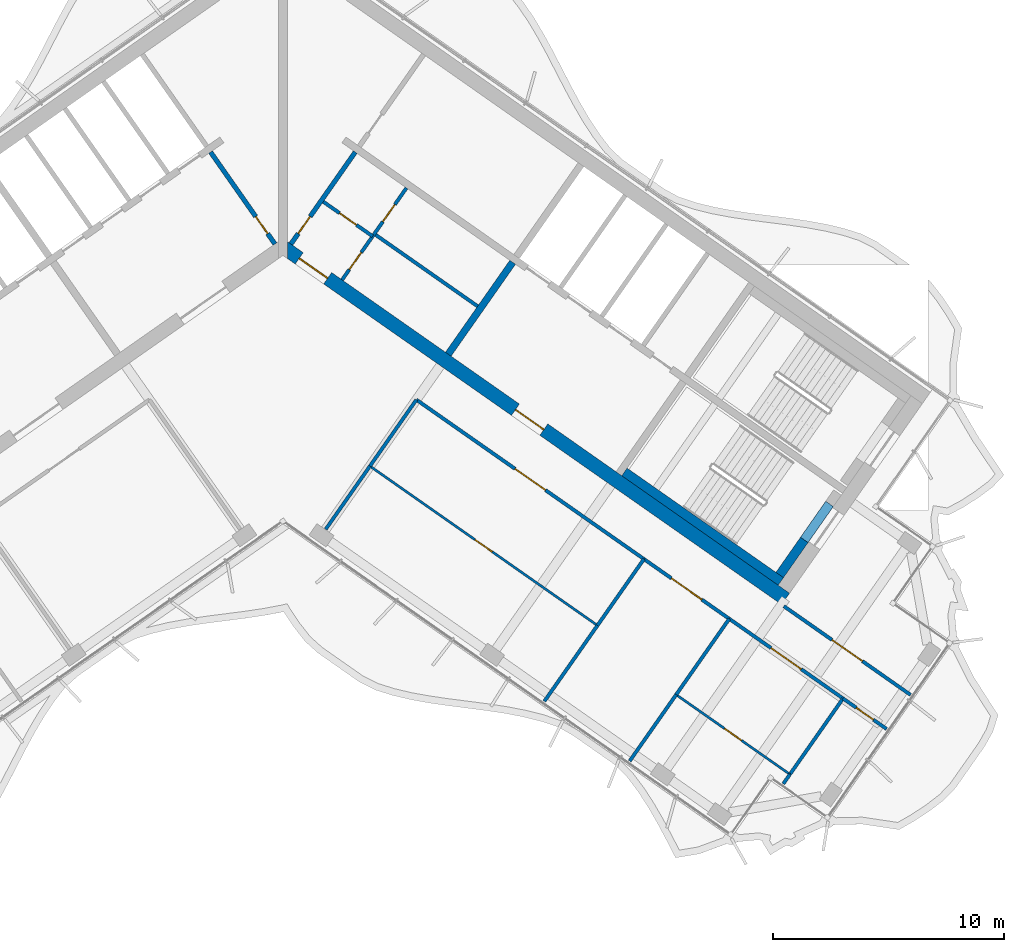
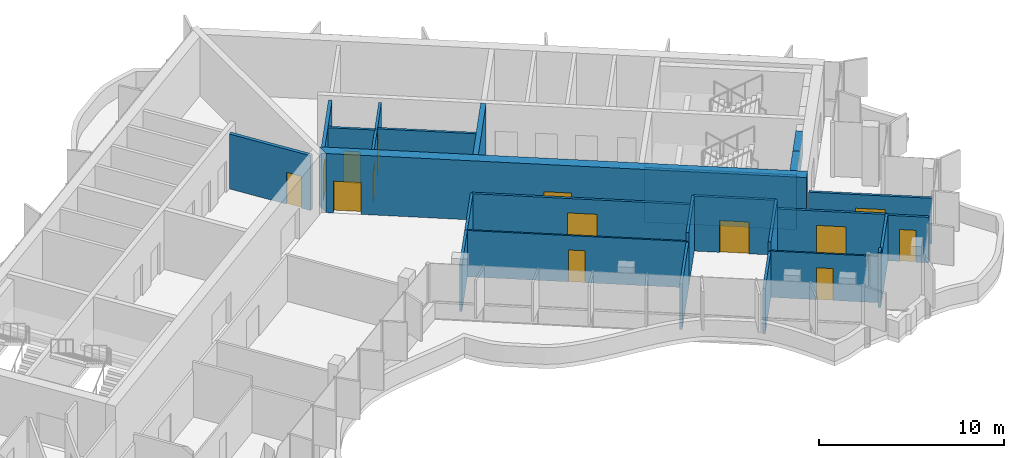
# One storey, part 10 of 17: 25 walls, 14 doors, 14 openings.
"""IFC4 building model written with IfcOpenShell, lengths in metres."""

from ifc_helpers import new_model, si_unit, direction, frame, frame_2d, origin, place, context, subcontext, project, spatial, polyline, rectangle, outline, extrude, material, layer, layer_set, type_object, element, fill, save


model = new_model("IFC4")

# Units and contexts
model_context = context("Model", 3, precision=1e-05, world=origin(), true_north=direction((0.0, 1.0)))
body_context = subcontext(model_context, "Body", "Model", "MODEL_VIEW")
ifc_project = project(units=[si_unit("LENGTHUNIT", "METRE"), si_unit("AREAUNIT", "SQUARE_METRE"), si_unit("VOLUMEUNIT", "CUBIC_METRE"), si_unit("PLANEANGLEUNIT", "RADIAN"), si_unit("MASSUNIT", "GRAM", prefix="KILO")], contexts=[model_context])

# Site, building, storey
site_placement = place(None, origin())
site = spatial("IfcSite", under=ifc_project, at=site_placement, CompositionType="ELEMENT")
building_placement = place(site_placement, origin())
building = spatial("IfcBuilding", under=site, at=building_placement, Name="Tel Ilan Convention Tower", CompositionType="ELEMENT")
storey_placement = place(building_placement, frame((0.0, 0.0, 291.699951171875)))
storey = spatial("IfcBuildingStorey", under=building, at=storey_placement, Name="L69", CompositionType="ELEMENT", Elevation=291.699951171875)

# Wall, openings, doors
ifc_material_1 = material(Name="Gypsum Plasterboard on Steel Stud", Category="steel")
ifc_layer_1 = layer(ifc_material_1, 0.14990234375)
ifc_layer_set_1 = layer_set([ifc_layer_1], Name="Core Room Partition Wall 150 mm EI 60")
wall_type_1 = type_object("IfcWallType", Name="Core Room Partition Wall 150 mm EI 60", PredefinedType="PARTITIONING", material=ifc_layer_set_1)
wall_1_placement = place(storey_placement, frame((2.5556640625, -2.27783203125, 0.0), z_axis=(0.0, 0.0, 1.0), x_axis=(0.573560315113, 0.819163332265, 0.0)))
wall_1 = element("IfcWall", 1, at=wall_1_placement, inside=storey, type_object=wall_type_1, Name="L69 core wall wc-v1", PredefinedType="PARTITIONING", context=body_context, shape_type="SweptSolid", body=[
    extrude(rectangle(XDim=4.849853515625, YDim=0.14990234375, at=frame_2d((2.4248046875, 0.0))), origin(), (0.0, 0.0, 1.0), 3.6201171875),
])
opening_1_placement = place(wall_1_placement, frame((0.550048828125, 0.0, 0.0)))
opening_1 = element("IfcOpeningElement", 2, at=opening_1_placement, cuts=wall_1, Name="Opening CD5211", PredefinedType="OPENING", context=body_context, shape_type="SweptSolid", body=[
    extrude(rectangle(XDim=0.89990234375, YDim=2.10009765625, at=frame_2d((0.449951171875, 1.050048828125))), frame((0.0, 0.0849609375, 0.0), z_axis=(0.0, -1.0, 0.0), x_axis=(1.0, 0.0, 0.0)), (0.0, 0.0, 1.0), 0.169921875),
])
opening_2_placement = place(wall_1_placement, frame((3.074951171875, 0.0, 0.0)))
opening_2 = element("IfcOpeningElement", 3, at=opening_2_placement, cuts=wall_1, Name="Opening CD5212", PredefinedType="OPENING", context=body_context, shape_type="SweptSolid", body=[
    extrude(rectangle(XDim=0.89990234375, YDim=2.10009765625, at=frame_2d((0.449951171875, 1.050048828125))), frame((0.0, 0.0849609375, 0.0), z_axis=(0.0, -1.0, 0.0), x_axis=(1.0, 0.0, 0.0)), (0.0, 0.0, 1.0), 0.169921875),
])
ifc_material_2 = material(Name="Laminated Timber Door Leaf", Category="wood")
door_type_1 = type_object("IfcDoorType", Name="Toilet Door 900 x 2100 FD30S", OperationType="NOTDEFINED", PredefinedType="DOOR", material=ifc_material_2)
door_1_placement = place(opening_1_placement, origin())
door_1 = element("IfcDoor", 4, at=door_1_placement, inside=storey, type_object=door_type_1, Name="Women's WC door", OperationType="SINGLE_SWING_RIGHT", OverallHeight=2.10009765625, OverallWidth=0.89990234375, PredefinedType="DOOR", context=body_context, shape_type="SweptSolid", body=[
    extrude(rectangle(XDim=0.89990234375, YDim=2.10009765625, at=frame_2d((0.449951171875, 1.050048828125))), frame((0.0, 0.02490234375, 0.0), z_axis=(0.0, -1.0, 0.0), x_axis=(1.0, 0.0, 0.0)), (0.0, 0.0, 1.0), 0.050048828125),
])
fill(opening_1, door_1)
door_2_placement = place(opening_2_placement, origin())
door_2 = element("IfcDoor", 5, at=door_2_placement, inside=storey, type_object=door_type_1, Name="Men's WC door", OperationType="SINGLE_SWING_RIGHT", OverallHeight=2.10009765625, OverallWidth=0.89990234375, PredefinedType="DOOR", context=body_context, shape_type="SweptSolid", body=[
    extrude(rectangle(XDim=0.89990234375, YDim=2.10009765625, at=frame_2d((0.449951171875, 1.050048828125))), frame((0.0, 0.02490234375, 0.0), z_axis=(0.0, -1.0, 0.0), x_axis=(1.0, 0.0, 0.0)), (0.0, 0.0, 1.0), 0.050048828125),
])
fill(opening_2, door_2)

# Wall, opening, door
wall_2_placement = place(storey_placement, frame((1.7451171875, 1.097412109375, 0.0), z_axis=(0.0, 0.0, 1.0), x_axis=(0.819178980414, -0.573537965655, 0.0)))
wall_2 = element("IfcWall", 6, at=wall_2_placement, inside=storey, type_object=wall_type_1, Name="L69 core wall wc-h1", PredefinedType="PARTITIONING", context=body_context, shape_type="SweptSolid", body=[
    extrude(rectangle(XDim=2.60009765625, YDim=0.14990234375, at=frame_2d((1.300048828125, 0.0))), origin(), (0.0, 0.0, 1.0), 3.6201171875),
])
opening_3_placement = place(wall_2_placement, frame((0.85009765625, 0.0, 0.0)))
opening_3 = element("IfcOpeningElement", 7, at=opening_3_placement, cuts=wall_2, Name="Opening CD5210", PredefinedType="OPENING", context=body_context, shape_type="SweptSolid", body=[
    extrude(rectangle(XDim=0.89990234375, YDim=2.10009765625, at=frame_2d((0.449951171875, 1.050048828125))), frame((0.0, 0.0849609375, 0.0), z_axis=(0.0, -1.0, 0.0), x_axis=(1.0, 0.0, 0.0)), (0.0, 0.0, 1.0), 0.169921875),
])
door_3_placement = place(opening_3_placement, origin())
door_3 = element("IfcDoor", 8, at=door_3_placement, inside=storey, type_object=door_type_1, Name="Accessible WC door", OperationType="SINGLE_SWING_RIGHT", OverallHeight=2.10009765625, OverallWidth=0.89990234375, PredefinedType="DOOR", context=body_context, shape_type="SweptSolid", body=[
    extrude(rectangle(XDim=0.89990234375, YDim=2.10009765625, at=frame_2d((0.449951171875, 1.050048828125))), frame((0.0, 0.02490234375, 0.0), z_axis=(0.0, -1.0, 0.0), x_axis=(1.0, 0.0, 0.0)), (0.0, 0.0, 1.0), 0.050048828125),
])
fill(opening_3, door_3)

# Wall
wall_3_placement = place(storey_placement, frame((3.946533203125, -0.29150390625, 0.0), z_axis=(0.0, 0.0, 1.0), x_axis=(0.819151939971, -0.573576585332, 0.0)))
element("IfcWall", 9, at=wall_3_placement, inside=storey, type_object=wall_type_1, Name="L69 core wall wc-h2", PredefinedType="PARTITIONING", context=body_context, shape_type="SweptSolid", body=[
    extrude(rectangle(XDim=5.449951171875, YDim=0.14990234375, at=frame_2d((2.72509765625, 0.0))), origin(), (0.0, 0.0, 1.0), 3.6201171875),
])

# Wall, opening, door
ifc_material_3 = material(Name="Concrete C30/37", Category="concrete")
ifc_layer_2 = layer(ifc_material_3, 0.199951171875)
ifc_layer_set_2 = layer_set([ifc_layer_2], Name="Core Service Room Wall 200 mm C30/37")
wall_type_2 = type_object("IfcWallType", Name="Core Service Room Wall 200 mm C30/37", PredefinedType="SOLIDWALL", material=ifc_layer_set_2)
wall_4_placement = place(storey_placement, frame((-0.343994140625, -0.729248046875, 0.0), z_axis=(0.0, 0.0, 1.0), x_axis=(-0.573560315113, 0.819163332265, 0.0)))
wall_4 = element("IfcWall", 10, at=wall_4_placement, inside=storey, type_object=wall_type_2, Name="L69 core wall apex-W", PredefinedType="SOLIDWALL", context=body_context, shape_type="SweptSolid", body=[
    extrude(rectangle(XDim=4.849853515625, YDim=0.199951171875, at=frame_2d((2.4248046875, 0.0))), origin(), (0.0, 0.0, 1.0), 3.6201171875),
])
opening_4_placement = place(wall_4_placement, frame((0.550048828125, 0.0, 0.0)))
opening_4 = element("IfcOpeningElement", 11, at=opening_4_placement, cuts=wall_4, Name="Opening CD5202", PredefinedType="OPENING", context=body_context, shape_type="SweptSolid", body=[
    extrude(rectangle(XDim=0.89990234375, YDim=2.10009765625, at=frame_2d((0.449951171875, 1.050048828125))), frame((0.0, 0.10986328125, 0.0), z_axis=(0.0, -1.0, 0.0), x_axis=(1.0, 0.0, 0.0)), (0.0, 0.0, 1.0), 0.219970703125),
])
ifc_material_4 = material(Name="Galvanised Steel Door Leaf", Category="steel")
door_type_2 = type_object("IfcDoorType", Name="Service Room Door 900 x 2100 FD60", OperationType="NOTDEFINED", PredefinedType="DOOR", material=ifc_material_4)
door_4_placement = place(opening_4_placement, origin())
door_4 = element("IfcDoor", 12, at=door_4_placement, inside=storey, type_object=door_type_2, Name="Electrical Room door", OperationType="SINGLE_SWING_RIGHT", OverallHeight=2.10009765625, OverallWidth=0.89990234375, PredefinedType="DOOR", context=body_context, shape_type="SweptSolid", body=[
    extrude(rectangle(XDim=0.89990234375, YDim=2.10009765625, at=frame_2d((0.449951171875, 1.050048828125))), frame((0.0, 0.02490234375, 0.0), z_axis=(0.0, -1.0, 0.0), x_axis=(1.0, 0.0, 0.0)), (0.0, 0.0, 1.0), 0.050048828125),
])
fill(opening_4, door_4)

wall_5_placement = place(storey_placement, frame((0.343994140625, -0.729248046875, 0.0), z_axis=(0.0, 0.0, 1.0), x_axis=(0.573560315113, 0.819163332265, 0.0)))
wall_5 = element("IfcWall", 13, at=wall_5_placement, inside=storey, type_object=wall_type_2, Name="L69 core wall apex-E", PredefinedType="SOLIDWALL", context=body_context, shape_type="SweptSolid", body=[
    extrude(rectangle(XDim=4.849853515625, YDim=0.199951171875, at=frame_2d((2.4248046875, 0.0))), origin(), (0.0, 0.0, 1.0), 3.6201171875),
])
opening_5_placement = place(wall_5_placement, frame((0.550048828125, 0.0, 0.0)))
opening_5 = element("IfcOpeningElement", 14, at=opening_5_placement, cuts=wall_5, Name="Opening CD5201", PredefinedType="OPENING", context=body_context, shape_type="SweptSolid", body=[
    extrude(rectangle(XDim=0.89990234375, YDim=2.10009765625, at=frame_2d((0.449951171875, 1.050048828125))), frame((0.0, 0.10986328125, 0.0), z_axis=(0.0, -1.0, 0.0), x_axis=(1.0, 0.0, 0.0)), (0.0, 0.0, 1.0), 0.219970703125),
])
door_5_placement = place(opening_5_placement, origin())
door_5 = element("IfcDoor", 15, at=door_5_placement, inside=storey, type_object=door_type_2, Name="Store Room door", OperationType="SINGLE_SWING_RIGHT", OverallHeight=2.10009765625, OverallWidth=0.89990234375, PredefinedType="DOOR", context=body_context, shape_type="SweptSolid", body=[
    extrude(rectangle(XDim=0.89990234375, YDim=2.10009765625, at=frame_2d((0.449951171875, 1.050048828125))), frame((0.0, 0.02490234375, 0.0), z_axis=(0.0, -1.0, 0.0), x_axis=(1.0, 0.0, 0.0)), (0.0, 0.0, 1.0), 0.050048828125),
])
fill(opening_5, door_5)

# Wall
ifc_material_5 = material(Name="Concrete C40/50", Category="concrete")
ifc_layer_3 = layer(ifc_material_5, 0.300048828125)
ifc_layer_set_3 = layer_set([ifc_layer_3], Name="Core Shear Wall 300 mm C40/50")
wall_type_3 = type_object("IfcWallType", Name="Core Shear Wall 300 mm C40/50", PredefinedType="SHEAR", material=ifc_layer_set_3)
wall_6_placement = place(storey_placement, frame((7.142822265625, -5.48974609375, 0.0), z_axis=(0.0, 0.0, 1.0), x_axis=(0.573617744349, 0.819123118565, 0.0)))
element("IfcWall", 16, at=wall_6_placement, inside=storey, type_object=wall_type_3, Name="L69 core wall E-cross1-1", PredefinedType="SHEAR", context=body_context, shape_type="SweptSolid", body=[
    extrude(outline(polyline([(0.0, 0.14990234375), (0.0, -0.150146484375), (4.85009765625, -0.14990234375), (4.85009765625, 0.150146484375), (0.0, 0.14990234375)])), origin(), (0.0, 0.0, 1.0), 3.900146484375),
])

# Wall, openings, doors
ifc_material_6 = material(Name="Concrete C40/50", Category="concrete")
ifc_layer_4 = layer(ifc_material_6, 0.60009765625)
ifc_layer_set_4 = layer_set([ifc_layer_4], Name="Core Shear Wall 600 mm C40/50")
wall_type_4 = type_object("IfcWallType", Name="Core Shear Wall 600 mm C40/50", PredefinedType="SHEAR", material=ifc_layer_set_4)
wall_7_placement = place(storey_placement, frame((0.02783203125, -0.8740234375, 0.0), z_axis=(0.0, 0.0, 1.0), x_axis=(0.819150035022, -0.573579305871, 0.0)))
wall_7 = element("IfcWall", 17, at=wall_7_placement, inside=storey, type_object=wall_type_4, Name="L69 core wall E-front", PredefinedType="SHEAR", context=body_context, shape_type="SweptSolid", body=[
    extrude(outline(polyline([(26.475830078125, 0.300048828125), (0.000244140625, 0.300048828125), (0.420166015625, -0.300048828125), (26.475830078125, -0.2998046875), (26.475830078125, 0.300048828125)])), origin(), (0.0, 0.0, 1.0), 3.900146484375),
])
opening_6_placement = place(wall_7_placement, frame((0.82568359375, 0.0, 0.0)))
opening_6 = element("IfcOpeningElement", 18, at=opening_6_placement, cuts=wall_7, Name="Opening CD5204", PredefinedType="OPENING", context=body_context, shape_type="SweptSolid", body=[
    extrude(rectangle(XDim=1.5, YDim=2.10009765625, at=frame_2d((0.75, 1.050048828125))), frame((0.0, 0.31005859375, 0.0), z_axis=(0.0, -1.0, 0.0), x_axis=(1.0, 0.0, 0.0)), (0.0, 0.0, 1.0), 0.6201171875),
])
opening_7_placement = place(wall_7_placement, frame((12.225830078125, 0.0, 0.0)))
opening_7 = element("IfcOpeningElement", 19, at=opening_7_placement, cuts=wall_7, Name="Opening CD5205", PredefinedType="OPENING", context=body_context, shape_type="SweptSolid", body=[
    extrude(rectangle(XDim=1.5, YDim=2.10009765625, at=frame_2d((0.75, 1.050048828125))), frame((0.0, 0.31005859375, 0.0), z_axis=(0.0, -1.0, 0.0), x_axis=(1.0, 0.0, 0.0)), (0.0, 0.0, 1.0), 0.6201171875),
])
ifc_material_7 = material(Name="Glazed Aluminium Door Leaf", Category="aluminium")
door_type_3 = type_object("IfcDoorType", Name="Lobby Opening Door 1500 x 2100 FD60S", OperationType="NOTDEFINED", PredefinedType="DOOR", material=ifc_material_7)
door_6_placement = place(opening_7_placement, origin())
door_6 = element("IfcDoor", 20, at=door_6_placement, inside=storey, type_object=door_type_3, Name="Firefighting Lobby door", OperationType="DOUBLE_DOOR_SINGLE_SWING", OverallHeight=2.10009765625, OverallWidth=1.5, PredefinedType="DOOR", context=body_context, shape_type="SweptSolid", body=[
    extrude(rectangle(XDim=1.5, YDim=2.10009765625, at=frame_2d((0.75, 1.050048828125))), frame((0.0, 0.02490234375, 0.0), z_axis=(0.0, -1.0, 0.0), x_axis=(1.0, 0.0, 0.0)), (0.0, 0.0, 1.0), 0.050048828125),
])
fill(opening_7, door_6)
ifc_material_8 = material(Name="Laminated Timber Door Leaf", Category="wood")
door_type_4 = type_object("IfcDoorType", Name="Toilet Door 1500 x 2100 FD30S", OperationType="NOTDEFINED", PredefinedType="DOOR", material=ifc_material_8)
door_7_placement = place(opening_6_placement, origin())
door_7 = element("IfcDoor", 21, at=door_7_placement, inside=storey, type_object=door_type_4, Name="WC Lobby door", OperationType="SINGLE_SWING_RIGHT", OverallHeight=2.10009765625, OverallWidth=1.5, PredefinedType="DOOR", context=body_context, shape_type="SweptSolid", body=[
    extrude(rectangle(XDim=1.5, YDim=2.10009765625, at=frame_2d((0.75, 1.050048828125))), frame((0.0, 0.02490234375, 0.0), z_axis=(0.0, -1.0, 0.0), x_axis=(1.0, 0.0, 0.0)), (0.0, 0.0, 1.0), 0.050048828125),
])
fill(opening_6, door_7)

# Wall, opening, door
ifc_material_9 = material(Name="Plasterboard on Steel Studs", Category="steel")
ifc_layer_5 = layer(ifc_material_9, 0.14990234375)
ifc_layer_set_5 = layer_set([ifc_layer_5], Name="Fire-rated Partition 150 EI 60")
wall_type_5 = type_object("IfcWallType", Name="Fire-rated Partition 150 EI 60", PredefinedType="PARTITIONING", material=ifc_layer_set_5)
wall_8_placement = place(storey_placement, frame((21.641845703125, -16.37451171875, 0.0), z_axis=(0.0, 0.0, 1.0), x_axis=(0.819147777977, -0.573582529227, 0.0)))
wall_8 = element("IfcWall", 22, at=wall_8_placement, inside=storey, type_object=wall_type_5, Name="Partition 001", PredefinedType="PARTITIONING", context=body_context, shape_type="SweptSolid", body=[
    extrude(rectangle(XDim=6.679931640625, YDim=0.14990234375, at=frame_2d((3.33984375, 0.0))), origin(), (0.0, 0.0, 1.0), 3.0),
])
opening_8_placement = place(wall_8_placement, frame((2.5400390625, 0.0, 0.0)))
opening_8 = element("IfcOpeningElement", 23, at=opening_8_placement, cuts=wall_8, Name="Opening L69-013", PredefinedType="OPENING", context=body_context, shape_type="SweptSolid", body=[
    extrude(rectangle(XDim=1.60009765625, YDim=2.10009765625, at=frame_2d((0.800048828125, 1.050048828125))), frame((0.0, 0.0849609375, 0.0), z_axis=(0.0, -1.0, 0.0), x_axis=(1.0, 0.0, 0.0)), (0.0, 0.0, 1.0), 0.169921875),
])
ifc_material_10 = material(Name="Timber Door Leaf in Steel Frame", Category="steel")
door_type_5 = type_object("IfcDoorType", Name="Tenant Suite Entrance Fire Door 1600x2100", OperationType="NOTDEFINED", PredefinedType="DOOR", material=ifc_material_10)
door_8_placement = place(opening_8_placement, origin())
door_8 = element("IfcDoor", 24, at=door_8_placement, inside=storey, type_object=door_type_5, Name="Door L69-013", OperationType="DOUBLE_DOOR_SINGLE_SWING", OverallHeight=2.10009765625, OverallWidth=1.60009765625, PredefinedType="DOOR", context=body_context, shape_type="SweptSolid", body=[
    extrude(rectangle(XDim=1.60009765625, YDim=2.10009765625, at=frame_2d((0.800048828125, 1.050048828125))), frame((0.0, 0.02490234375, 0.0), z_axis=(0.0, -1.0, 0.0), x_axis=(1.0, 0.0, 0.0)), (0.0, 0.0, 1.0), 0.050048828125),
])
fill(opening_8, door_8)

wall_9_placement = place(storey_placement, frame((15.597900390625, -14.33984375, 0.0), z_axis=(0.0, 0.0, 1.0), x_axis=(-0.81915546166, 0.573571555809, 0.0)))
wall_9 = element("IfcWall", 25, at=wall_9_placement, inside=storey, type_object=wall_type_5, Name="Partition 002", PredefinedType="PARTITIONING", context=body_context, shape_type="SweptSolid", body=[
    extrude(rectangle(XDim=12.001953125, YDim=0.14990234375, at=frame_2d((6.0009765625, 0.0))), origin(), (0.0, 0.0, 1.0), 3.050048828125),
])
opening_9_placement = place(wall_9_placement, frame((5.200927734375, 0.0, 0.0)))
opening_9 = element("IfcOpeningElement", 26, at=opening_9_placement, cuts=wall_9, Name="Opening L69-007", PredefinedType="OPENING", context=body_context, shape_type="SweptSolid", body=[
    extrude(rectangle(XDim=1.60009765625, YDim=2.10009765625, at=frame_2d((0.800048828125, 1.050048828125))), frame((0.0, 0.0849609375, 0.0), z_axis=(0.0, -1.0, 0.0), x_axis=(1.0, 0.0, 0.0)), (0.0, 0.0, 1.0), 0.169921875),
])
door_9_placement = place(opening_9_placement, origin())
door_9 = element("IfcDoor", 27, at=door_9_placement, inside=storey, type_object=door_type_5, Name="Door L69-007", OperationType="DOUBLE_DOOR_SINGLE_SWING", OverallHeight=2.10009765625, OverallWidth=1.60009765625, PredefinedType="DOOR", context=body_context, shape_type="SweptSolid", body=[
    extrude(rectangle(XDim=1.60009765625, YDim=2.10009765625, at=frame_2d((0.800048828125, 1.050048828125))), frame((0.0, 0.02490234375, 0.0), z_axis=(0.0, -1.0, 0.0), x_axis=(1.0, 0.0, 0.0)), (0.0, 0.0, 1.0), 0.050048828125),
])
fill(opening_9, door_9)

wall_10_placement = place(storey_placement, frame((19.283935546875, -16.9208984375, 0.0), z_axis=(0.0, 0.0, 1.0), x_axis=(-0.819165703328, 0.573556928727, 0.0)))
wall_10 = element("IfcWall", 28, at=wall_10_placement, inside=storey, type_object=wall_type_5, Name="Partition 003", PredefinedType="PARTITIONING", context=body_context, shape_type="SweptSolid", body=[
    extrude(rectangle(XDim=4.50390625, YDim=0.14990234375, at=frame_2d((2.251953125, 0.0))), origin(), (0.0, 0.0, 1.0), 3.6201171875),
])
opening_10_placement = place(wall_10_placement, frame((1.451904296875, 0.0, 0.0)))
opening_10 = element("IfcOpeningElement", 29, at=opening_10_placement, cuts=wall_10, Name="Opening L69-009", PredefinedType="OPENING", context=body_context, shape_type="SweptSolid", body=[
    extrude(rectangle(XDim=1.60009765625, YDim=2.10009765625, at=frame_2d((0.800048828125, 1.050048828125))), frame((0.0, 0.0849609375, 0.0), z_axis=(0.0, -1.0, 0.0), x_axis=(1.0, 0.0, 0.0)), (0.0, 0.0, 1.0), 0.169921875),
])
door_10_placement = place(opening_10_placement, origin())
door_10 = element("IfcDoor", 30, at=door_10_placement, inside=storey, type_object=door_type_5, Name="Door L69-009", OperationType="DOUBLE_DOOR_SINGLE_SWING", OverallHeight=2.10009765625, OverallWidth=1.60009765625, PredefinedType="DOOR", context=body_context, shape_type="SweptSolid", body=[
    extrude(rectangle(XDim=1.60009765625, YDim=2.10009765625, at=frame_2d((0.800048828125, 1.050048828125))), frame((0.0, 0.02490234375, 0.0), z_axis=(0.0, -1.0, 0.0), x_axis=(1.0, 0.0, 0.0)), (0.0, 0.0, 1.0), 0.050048828125),
])
fill(opening_10, door_10)

wall_11_placement = place(storey_placement, frame((24.198974609375, -20.3623046875, 0.0), z_axis=(0.0, 0.0, 1.0), x_axis=(-0.819165052243, 0.573557858619, 0.0)))
wall_11 = element("IfcWall", 31, at=wall_11_placement, inside=storey, type_object=wall_type_5, Name="Partition 004", PredefinedType="PARTITIONING", context=body_context, shape_type="SweptSolid", body=[
    extrude(rectangle(XDim=6.00390625, YDim=0.14990234375, at=frame_2d((3.001953125, 0.0))), origin(), (0.0, 0.0, 1.0), 3.050048828125),
])
opening_11_placement = place(wall_11_placement, frame((2.201904296875, 0.0, 0.0)))
opening_11 = element("IfcOpeningElement", 32, at=opening_11_placement, cuts=wall_11, Name="Opening L69-010", PredefinedType="OPENING", context=body_context, shape_type="SweptSolid", body=[
    extrude(rectangle(XDim=1.60009765625, YDim=2.10009765625, at=frame_2d((0.800048828125, 1.050048828125))), frame((0.0, 0.0849609375, 0.0), z_axis=(0.0, -1.0, 0.0), x_axis=(1.0, 0.0, 0.0)), (0.0, 0.0, 1.0), 0.169921875),
])
door_11_placement = place(opening_11_placement, origin())
door_11 = element("IfcDoor", 33, at=door_11_placement, inside=storey, type_object=door_type_5, Name="Door L69-010", OperationType="DOUBLE_DOOR_SINGLE_SWING", OverallHeight=2.10009765625, OverallWidth=1.60009765625, PredefinedType="DOOR", context=body_context, shape_type="SweptSolid", body=[
    extrude(rectangle(XDim=1.60009765625, YDim=2.10009765625, at=frame_2d((0.800048828125, 1.050048828125))), frame((0.0, 0.02490234375, 0.0), z_axis=(0.0, -1.0, 0.0), x_axis=(1.0, 0.0, 0.0)), (0.0, 0.0, 1.0), 0.050048828125),
])
fill(opening_11, door_11)

wall_12_placement = place(storey_placement, frame((26.081298828125, -21.680419921875, 0.0), z_axis=(0.0, 0.0, 1.0), x_axis=(-0.819172126429, 0.573547755014, 0.0)))
wall_12 = element("IfcWall", 34, at=wall_12_placement, inside=storey, type_object=wall_type_5, Name="Partition 005", PredefinedType="PARTITIONING", context=body_context, shape_type="SweptSolid", body=[
    extrude(rectangle(XDim=2.302001953125, YDim=0.14990234375, at=frame_2d((1.15087890625, 0.0))), origin(), (0.0, 0.0, 1.0), 3.0),
])
opening_12_placement = place(wall_12_placement, frame((0.700927734375, 0.0, 0.0)))
opening_12 = element("IfcOpeningElement", 35, at=opening_12_placement, cuts=wall_12, Name="Opening L69-012", PredefinedType="OPENING", context=body_context, shape_type="SweptSolid", body=[
    extrude(rectangle(XDim=0.89990234375, YDim=2.10009765625, at=frame_2d((0.449951171875, 1.050048828125))), frame((0.0, 0.0849609375, 0.0), z_axis=(0.0, -1.0, 0.0), x_axis=(1.0, 0.0, 0.0)), (0.0, 0.0, 1.0), 0.169921875),
])
ifc_material_11 = material(Name="Timber Door Leaf in Steel Frame", Category="steel")
door_type_6 = type_object("IfcDoorType", Name="Room Fire Door 900x2100", OperationType="NOTDEFINED", PredefinedType="DOOR", material=ifc_material_11)
door_12_placement = place(opening_12_placement, origin())
door_12 = element("IfcDoor", 36, at=door_12_placement, inside=storey, type_object=door_type_6, Name="Door L69-012", OperationType="SINGLE_SWING_RIGHT", OverallHeight=2.10009765625, OverallWidth=0.89990234375, PredefinedType="DOOR", context=body_context, shape_type="SweptSolid", body=[
    extrude(rectangle(XDim=0.89990234375, YDim=2.10009765625, at=frame_2d((0.449951171875, 1.050048828125))), frame((0.0, 0.02490234375, 0.0), z_axis=(0.0, -1.0, 0.0), x_axis=(1.0, 0.0, 0.0)), (0.0, 0.0, 1.0), 0.050048828125),
])
fill(opening_12, door_12)

# Walls
wall_13_placement = place(storey_placement, frame((13.588134765625, -17.20654296875, 0.0), z_axis=(0.0, 0.0, 1.0), x_axis=(-0.573560675104, -0.819163080207, 0.0)))
element("IfcWall", 37, at=wall_13_placement, inside=storey, type_object=wall_type_5, Name="Partition 012", PredefinedType="PARTITIONING", context=body_context, shape_type="SweptSolid", body=[
    extrude(rectangle(XDim=3.9990234375, YDim=0.14990234375, at=frame_2d((1.99951171875, 0.0))), origin(), (0.0, 0.0, 1.0), 3.0),
])
wall_14_placement = place(storey_placement, frame((1.848876953125, -13.050537109375, 0.0), z_axis=(0.0, 0.0, 1.0), x_axis=(0.573595235521, 0.819138880647, 0.0)))
element("IfcWall", 38, at=wall_14_placement, inside=storey, type_object=wall_type_5, Name="Partition 013", PredefinedType="PARTITIONING", context=body_context, shape_type="SweptSolid", body=[
    extrude(rectangle(XDim=3.328857421875, YDim=0.14990234375, at=frame_2d((1.66455078125, 0.0))), origin(), (0.0, 0.0, 1.0), 3.050048828125),
])
wall_15_placement = place(storey_placement, frame((15.59619140625, -14.338623046875, 0.0), z_axis=(0.0, 0.0, 1.0), x_axis=(-0.573565328398, -0.819159822049, 0.0)))
element("IfcWall", 39, at=wall_15_placement, inside=storey, type_object=wall_type_5, Name="Partition 014", PredefinedType="PARTITIONING", context=body_context, shape_type="SweptSolid", body=[
    extrude(rectangle(XDim=3.500244140625, YDim=0.14990234375, at=frame_2d((1.75, 0.0))), origin(), (0.0, 0.0, 1.0), 3.6201171875),
])
wall_16_placement = place(storey_placement, frame((3.7587890625, -10.32275390625, 0.0), z_axis=(0.0, 0.0, 1.0), x_axis=(0.573598101901, 0.81913687348, 0.0)))
element("IfcWall", 40, at=wall_16_placement, inside=storey, type_object=wall_type_5, Name="Partition 015", PredefinedType="PARTITIONING", context=body_context, shape_type="SweptSolid", body=[
    extrude(rectangle(XDim=3.5, YDim=0.14990234375, at=frame_2d((1.75, 0.0))), origin(), (0.0, 0.0, 1.0), 3.050048828125),
])
wall_17_placement = place(storey_placement, frame((16.988525390625, -20.195556640625, 0.0), z_axis=(0.0, 0.0, 1.0), x_axis=(-0.573560622794, -0.819163116834, 0.0)))
element("IfcWall", 41, at=wall_17_placement, inside=storey, type_object=wall_type_5, Name="Partition 016", PredefinedType="PARTITIONING", context=body_context, shape_type="SweptSolid", body=[
    extrude(rectangle(XDim=3.5009765625, YDim=0.14990234375, at=frame_2d((1.75048828125, 0.0))), origin(), (0.0, 0.0, 1.0), 3.0),
])
wall_18_placement = place(storey_placement, frame((19.282470703125, -16.919921875, 0.0), z_axis=(0.0, 0.0, 1.0), x_axis=(-0.573630198485, -0.819114397008, 0.0)))
element("IfcWall", 42, at=wall_18_placement, inside=storey, type_object=wall_type_5, Name="Partition 017", PredefinedType="PARTITIONING", context=body_context, shape_type="SweptSolid", body=[
    extrude(rectangle(XDim=4.001953125, YDim=0.14990234375, at=frame_2d((2.0009765625, 0.0))), origin(), (0.0, 0.0, 1.0), 3.6201171875),
])
wall_19_placement = place(storey_placement, frame((21.90234375, -23.638671875, 0.0), z_axis=(0.0, 0.0, 1.0), x_axis=(-0.573298184438, -0.819346807964, 0.0)))
element("IfcWall", 43, at=wall_19_placement, inside=storey, type_object=wall_type_5, Name="Partition 019", PredefinedType="PARTITIONING", context=body_context, shape_type="SweptSolid", body=[
    extrude(rectangle(XDim=0.4990234375, YDim=0.14990234375, at=frame_2d((0.24951171875, 0.0))), origin(), (0.0, 0.0, 1.0), 3.6201171875),
])
wall_20_placement = place(storey_placement, frame((24.197265625, -20.361328125, 0.0), z_axis=(0.0, 0.0, 1.0), x_axis=(-0.573556557423, -0.819165963305, 0.0)))
element("IfcWall", 44, at=wall_20_placement, inside=storey, type_object=wall_type_5, Name="Partition 020", PredefinedType="PARTITIONING", context=body_context, shape_type="SweptSolid", body=[
    extrude(rectangle(XDim=4.0, YDim=0.14990234375, at=frame_2d((2.0, 0.0))), origin(), (0.0, 0.0, 1.0), 3.050048828125),
])

# Wall, opening, door
ifc_material_12 = material(Name="Plasterboard on Steel Studs", Category="steel")
ifc_layer_6 = layer(ifc_material_12, 0.10009765625)
ifc_layer_set_6 = layer_set([ifc_layer_6], Name="Plasterboard Partition 100")
wall_type_6 = type_object("IfcWallType", Name="Plasterboard Partition 100", PredefinedType="PARTITIONING", material=ifc_layer_set_6)
wall_21_placement = place(storey_placement, frame((13.588134765625, -17.20654296875, 0.0), z_axis=(0.0, 0.0, 1.0), x_axis=(-0.819156404271, 0.573570209602, 0.0)))
wall_21 = element("IfcWall", 45, at=wall_21_placement, inside=storey, type_object=wall_type_6, Name="Partition 011", PredefinedType="PARTITIONING", context=body_context, shape_type="SweptSolid", body=[
    extrude(rectangle(XDim=12.0, YDim=0.10009765625, at=frame_2d((6.0, 0.0))), origin(), (0.0, 0.0, 1.0), 3.050048828125),
])
opening_13_placement = place(wall_21_placement, frame((5.550048828125, 0.0, 0.0)))
opening_13 = element("IfcOpeningElement", 46, at=opening_13_placement, cuts=wall_21, Name="Opening L69-008", PredefinedType="OPENING", context=body_context, shape_type="SweptSolid", body=[
    extrude(rectangle(XDim=0.89990234375, YDim=2.10009765625, at=frame_2d((0.449951171875, 1.050048828125))), frame((0.0, 0.06005859375, 0.0), z_axis=(0.0, -1.0, 0.0), x_axis=(1.0, 0.0, 0.0)), (0.0, 0.0, 1.0), 0.1201171875),
])
ifc_material_13 = material(Name="Timber Door Leaf in Steel Frame", Category="steel")
door_type_7 = type_object("IfcDoorType", Name="Room Timber Door 900x2100", OperationType="NOTDEFINED", PredefinedType="DOOR", material=ifc_material_13)
door_13_placement = place(opening_13_placement, origin())
door_13 = element("IfcDoor", 47, at=door_13_placement, inside=storey, type_object=door_type_7, Name="Door L69-008", OperationType="SINGLE_SWING_RIGHT", OverallHeight=2.10009765625, OverallWidth=0.89990234375, PredefinedType="DOOR", context=body_context, shape_type="SweptSolid", body=[
    extrude(rectangle(XDim=0.89990234375, YDim=2.10009765625, at=frame_2d((0.449951171875, 1.050048828125))), frame((0.0, 0.02490234375, 0.0), z_axis=(0.0, -1.0, 0.0), x_axis=(1.0, 0.0, 0.0)), (0.0, 0.0, 1.0), 0.050048828125),
])
fill(opening_13, door_13)

wall_22_placement = place(storey_placement, frame((21.90234375, -23.638671875, 0.0), z_axis=(0.0, 0.0, 1.0), x_axis=(-0.819149710902, 0.573579768758, 0.0)))
wall_22 = element("IfcWall", 48, at=wall_22_placement, inside=storey, type_object=wall_type_6, Name="Partition 018", PredefinedType="PARTITIONING", context=body_context, shape_type="SweptSolid", body=[
    extrude(rectangle(XDim=5.999755859375, YDim=0.10009765625, at=frame_2d((3.0, 0.0))), origin(), (0.0, 0.0, 1.0), 3.050048828125),
])
opening_14_placement = place(wall_22_placement, frame((2.550048828125, 0.0, 0.0)))
opening_14 = element("IfcOpeningElement", 49, at=opening_14_placement, cuts=wall_22, Name="Opening L69-011", PredefinedType="OPENING", context=body_context, shape_type="SweptSolid", body=[
    extrude(rectangle(XDim=0.89990234375, YDim=2.10009765625, at=frame_2d((0.449951171875, 1.050048828125))), frame((0.0, 0.06005859375, 0.0), z_axis=(0.0, -1.0, 0.0), x_axis=(1.0, 0.0, 0.0)), (0.0, 0.0, 1.0), 0.1201171875),
])
door_14_placement = place(opening_14_placement, origin())
door_14 = element("IfcDoor", 50, at=door_14_placement, inside=storey, type_object=door_type_7, Name="Door L69-011", OperationType="SINGLE_SWING_LEFT", OverallHeight=2.10009765625, OverallWidth=0.89990234375, PredefinedType="DOOR", context=body_context, shape_type="SweptSolid", body=[
    extrude(rectangle(XDim=0.89990234375, YDim=2.10009765625, at=frame_2d((0.449951171875, 1.050048828125))), frame((0.0, 0.02490234375, 0.0), z_axis=(0.0, -1.0, 0.0), x_axis=(1.0, 0.0, 0.0)), (0.0, 0.0, 1.0), 0.050048828125),
])
fill(opening_14, door_14)

# Walls
ifc_material_14 = material(Name="Concrete C30/37", Category="concrete")
ifc_layer_7 = layer(ifc_material_14, 0.39990234375)
ifc_layer_set_7 = layer_set([ifc_layer_7], Name="Stair and Shaft Lining Wall 400 mm C30/37")
wall_type_7 = type_object("IfcWallType", Name="Stair and Shaft Lining Wall 400 mm C30/37", PredefinedType="SOLIDWALL", material=ifc_layer_set_7)
wall_23_placement = place(storey_placement, frame((14.7529296875, -10.57421875, 0.0), z_axis=(0.0, 0.0, 1.0), x_axis=(0.819158229677, -0.573567602601, 0.0)))
element("IfcWall", 51, at=wall_23_placement, inside=storey, type_object=wall_type_7, Name="L69 core wall lining-S4-t0", PredefinedType="SOLIDWALL", context=body_context, shape_type="SweptSolid", body=[
    extrude(rectangle(XDim=8.25, YDim=0.39990234375, at=frame_2d((4.125, 0.0))), origin(), (0.0, 0.0, 1.0), 3.6201171875),
])
wall_24_placement = place(storey_placement, frame((21.4619140625, -15.027587890625, 0.0), z_axis=(0.0, 0.0, 1.0), x_axis=(0.573559770908, 0.819163713305, 0.0)))
element("IfcWall", 52, at=wall_24_placement, inside=storey, type_object=wall_type_7, Name="L69 core wall lining-S4-u1-0", PredefinedType="SOLIDWALL", context=body_context, shape_type="SweptSolid", body=[
    extrude(rectangle(XDim=1.849853515625, YDim=0.39990234375, at=frame_2d((0.9248046875, 0.0))), origin(), (0.0, 0.0, 1.0), 3.6201171875),
])
wall_25_placement = place(storey_placement, frame((22.52294921875, -13.51220703125, 2.150146484375), z_axis=(0.0, 0.0, 1.0), x_axis=(0.573591692345, 0.819141361715, 0.0)))
element("IfcWall", 53, at=wall_25_placement, inside=storey, type_object=wall_type_7, Name="L69 core wall lining-S4-u1-lintel", PredefinedType="SOLIDWALL", context=body_context, shape_type="SweptSolid", body=[
    extrude(rectangle(XDim=1.900146484375, YDim=0.39990234375, at=frame_2d((0.9501953125, 0.0))), origin(), (0.0, 0.0, 1.0), 1.469970703125),
])

save(model, "model.ifc")
